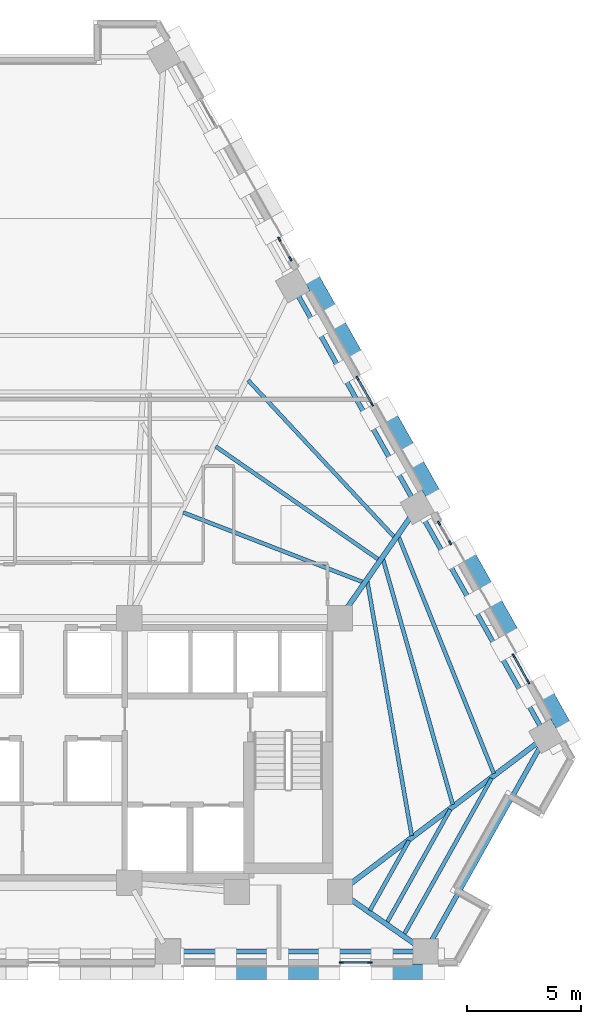
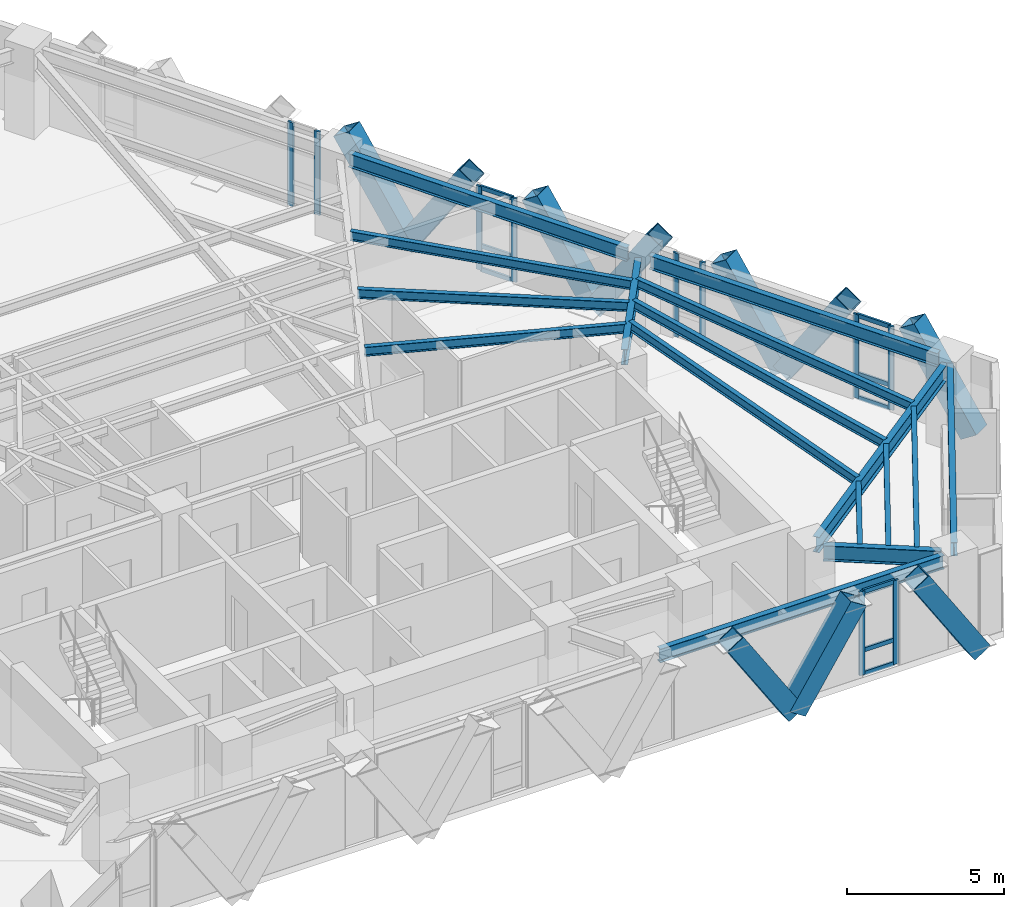
# One storey, part 4 of 13: 29 members, 16 beams, 5 elements without a shape of their own.
"""IFC4 building model written with IfcOpenShell, lengths in metres."""

import ifcopenshell
import ifcopenshell.guid

model = None  # the IFC model being written
_history = None  # IfcOwnerHistory: only IFC2X3 demands one
_inside = {}  # id of a spatial element -> (the spatial element, [elements in it])
_under = {}  # id of a project, library or spatial element -> (it, [spatial elements below it])
_declared = {}  # id of a project -> (the project, [libraries it declares])
_typed = {}  # id of a type object -> (the type object, [elements of that type])
_made_of = {}  # id of a material, layer set ... -> (it, [elements and type objects made of it])


def new_model(schema):
    """Start an empty IFC model of exactly this schema.

    Asked for "IFC4X3", IfcOpenShell would pick the latest addendum, in which some entities
    have other attributes; the version numbers below select the first issue.
    IFC2X3 requires an IfcOwnerHistory on every rooted entity: one is made here for all.
    """
    global model, _history
    if schema == "IFC4X3":
        model = ifcopenshell.file(schema_version=(4, 3, 0, 0))
    else:
        model = ifcopenshell.file(schema=schema)
    _inside.clear()
    _under.clear()
    _declared.clear()
    _typed.clear()
    _made_of.clear()
    _history = None
    if model.schema == "IFC2X3":
        org = make("IfcOrganization", Name="unknown")
        user = make(
            "IfcPersonAndOrganization",
            ThePerson=make("IfcPerson", FamilyName="unknown"),
            TheOrganization=org,
        )
        app = make(
            "IfcApplication",
            ApplicationDeveloper=org,
            Version="unknown",
            ApplicationFullName="unknown",
            ApplicationIdentifier="unknown",
        )
        _history = make(
            "IfcOwnerHistory",
            OwningUser=user,
            OwningApplication=app,
            ChangeAction="ADDED",
            CreationDate=0,
        )
    return model


def make(cls, **values):
    """One entity of the class cls with the attributes given. An attribute that is None is left unset."""
    return model.create_entity(
        cls, **{name: value for name, value in values.items() if value is not None}
    )


def rooted(cls, **values):
    """An entity with a GlobalId (a new one), such as an element, a storey or a relation."""
    return make(cls, GlobalId=ifcopenshell.guid.new(), OwnerHistory=_history, **values)


def si_unit(unit_type, name, prefix=None):
    """IfcSIUnit, for example si_unit("LENGTHUNIT", "METRE", prefix="MILLI")."""
    return make("IfcSIUnit", UnitType=unit_type, Prefix=prefix, Name=name)


def assignment(units):
    """IfcUnitAssignment: the units of a project."""
    return None if units is None else make("IfcUnitAssignment", Units=units)


def point(xyz):
    """IfcCartesianPoint."""
    return None if xyz is None else make("IfcCartesianPoint", Coordinates=xyz)


def direction(xyz):
    """IfcDirection."""
    return None if xyz is None else make("IfcDirection", DirectionRatios=xyz)


def frame(location, z_axis=None, x_axis=None):
    """IfcAxis2Placement3D, a coordinate frame: its origin and axes. An axis left out is left unset."""
    return make(
        "IfcAxis2Placement3D",
        Location=point(location),
        Axis=direction(z_axis),
        RefDirection=direction(x_axis),
    )


def frame_2d(location, x_axis=None):
    """IfcAxis2Placement2D, a coordinate frame in the plane: its origin and x axis."""
    return make(
        "IfcAxis2Placement2D", Location=point(location), RefDirection=direction(x_axis)
    )


def origin():
    """The frame at (0, 0, 0) with its axes left unset."""
    return frame((0.0, 0.0, 0.0))


def origin_2d():
    """The frame at (0, 0) in the plane with its x axis left unset."""
    return frame_2d((0.0, 0.0))


def place(relative_to, where):
    """IfcLocalPlacement: puts the frame where relative to a parent placement (None: the world)."""
    return make(
        "IfcLocalPlacement", PlacementRelTo=relative_to, RelativePlacement=where
    )


def context(
    kind, dimensions, precision=None, world=None, true_north=None, identifier=None
):
    """IfcGeometricRepresentationContext, for example the 3D "Model" context."""
    return make(
        "IfcGeometricRepresentationContext",
        ContextIdentifier=identifier,
        ContextType=kind,
        CoordinateSpaceDimension=dimensions,
        Precision=precision,
        WorldCoordinateSystem=world,
        TrueNorth=true_north,
    )


def subcontext(parent, identifier, kind, view, scale=None):
    """IfcGeometricRepresentationSubContext, for example "Body" below "Model"."""
    return make(
        "IfcGeometricRepresentationSubContext",
        ContextIdentifier=identifier,
        ContextType=kind,
        ParentContext=parent,
        TargetScale=scale,
        TargetView=view,
    )


def project(units=None, contexts=None):
    """IfcProject with its units and contexts."""
    return rooted(
        "IfcProject",
        Name="project",
        RepresentationContexts=contexts,
        UnitsInContext=assignment(units),
    )


def spatial(cls, under=None, at=None, **own):
    """A site, building, storey or space (cls), placed at a placement, below another one or the project."""
    s = rooted(cls, ObjectPlacement=at, **own)
    if under is not None:
        _under.setdefault(under.id(), (under, []))[1].append(s)
    return s


def profile(cls, at=None, kind="AREA", **sizes):
    """A parametric profile (cls). Its sizes go by their IFC names, for example OverallWidth=200.0."""
    return make(cls, ProfileType=kind, Position=at, **sizes)


def rectangle(**sizes):
    """IfcRectangleProfileDef."""
    return profile("IfcRectangleProfileDef", **sizes)


def hollow_rectangle(**sizes):
    """IfcRectangleHollowProfileDef."""
    return profile("IfcRectangleHollowProfileDef", **sizes)


def i_section(**sizes):
    """IfcIShapeProfileDef."""
    return profile("IfcIShapeProfileDef", **sizes)


def extrude(swept, where, along, depth):
    """IfcExtrudedAreaSolid: the profile swept, set in the frame where, extruded along a direction by depth."""
    return make(
        "IfcExtrudedAreaSolid",
        SweptArea=swept,
        Position=where,
        ExtrudedDirection=direction(along),
        Depth=depth,
    )


def shape(context_of_items, identifier, shape_type, items):
    """IfcShapeRepresentation: the items that make up one representation, for example the "Body"."""
    return make(
        "IfcShapeRepresentation",
        ContextOfItems=context_of_items,
        RepresentationIdentifier=identifier,
        RepresentationType=shape_type,
        Items=items,
    )


def material(Name=None, Category=None):
    """IfcMaterial."""
    return make("IfcMaterial", Name=Name, Category=Category)


def material_profile(
    of_material, cross_section, Name=None, Category=None, Priority=None
):
    """IfcMaterialProfile: a cross section and its material."""
    return make(
        "IfcMaterialProfile",
        Name=Name,
        Material=of_material,
        Profile=cross_section,
        Priority=Priority,
        Category=Category,
    )


def profile_set(profiles, Name=None, composite=None):
    """IfcMaterialProfileSet."""
    return make(
        "IfcMaterialProfileSet",
        Name=Name,
        MaterialProfiles=profiles,
        CompositeProfile=composite,
    )


def made_of(thing, what):
    """Note that an element or type object is made of a material, layer set ...; save() writes the relation."""
    if what is not None:
        _made_of.setdefault(what.id(), (what, []))[1].append(thing)
    return thing


def type_object(cls, material=None, **own):
    """A type object (cls), such as IfcWallType, which elements share."""
    return made_of(rooted(cls, **own), material)


def element(
    cls,
    number,
    at=None,
    inside=None,
    cuts=None,
    type_object=None,
    material=None,
    context=None,
    identifier="Body",
    shape_type=None,
    held_by="IfcProductDefinitionShape",
    body=None,
    shapes=None,
    **own,
):
    """One element of the class cls, such as IfcWall. Its Tag is "e" and its number.

    at: its placement. inside: the storey or other place that contains it. cuts: it is an
    opening in that element (IfcRelVoidsElement). A single representation is given by context,
    identifier, shape_type and body (its items); several are given by shapes. held_by: the class
    of the entity that holds the representations. save() writes the other relations.
    """
    e = rooted(cls, Tag="e%d" % number, ObjectPlacement=at, **own)
    if body is not None:
        shapes = [shape(context, identifier, shape_type, body)]
    if shapes is not None:
        e.Representation = make(held_by, Representations=shapes)
    if inside is not None:
        _inside.setdefault(inside.id(), (inside, []))[1].append(e)
    if cuts is not None:
        rooted(
            "IfcRelVoidsElement", RelatingBuildingElement=cuts, RelatedOpeningElement=e
        )
    if type_object is not None:
        _typed.setdefault(type_object.id(), (type_object, []))[1].append(e)
    return made_of(e, material)


def aggregate(whole, parts):
    """IfcRelAggregates: a whole, such as a stair, and the parts it consists of."""
    return rooted("IfcRelAggregates", RelatingObject=whole, RelatedObjects=parts)


def save(model, path):
    """Write the relations noted so far, then the file.

    IfcRelAggregates (storeys below a building ...), IfcRelContainedInSpatialStructure (elements
    in a storey), IfcRelDefinesByType, IfcRelAssociatesMaterial and IfcRelDeclares: one each for
    every whole, place, type object, material and project.
    """
    for whole, parts in _under.values():
        aggregate(whole, parts)
    for where, things in _inside.values():
        rooted(
            "IfcRelContainedInSpatialStructure",
            RelatedElements=things,
            RelatingStructure=where,
        )
    for kind, things in _typed.values():
        rooted("IfcRelDefinesByType", RelatedObjects=things, RelatingType=kind)
    for what, things in _made_of.values():
        rooted("IfcRelAssociatesMaterial", RelatedObjects=things, RelatingMaterial=what)
    for by, libraries in _declared.values():
        rooted("IfcRelDeclares", RelatingContext=by, RelatedDefinitions=libraries)
    model.write(path)


model = new_model("IFC4")

# Units and contexts
model_context = context("Model", 3, precision=1e-05, world=origin(), true_north=direction((0.0, 1.0)))
body_context = subcontext(model_context, "Body", "Model", "MODEL_VIEW")
ifc_project = project(units=[si_unit("LENGTHUNIT", "METRE"), si_unit("AREAUNIT", "SQUARE_METRE"), si_unit("VOLUMEUNIT", "CUBIC_METRE"), si_unit("PLANEANGLEUNIT", "RADIAN"), si_unit("MASSUNIT", "GRAM", prefix="KILO")], contexts=[model_context])

# Site, building, storey
site_placement = place(None, origin())
site = spatial("IfcSite", under=ifc_project, at=site_placement, CompositionType="ELEMENT")
building_placement = place(site_placement, origin())
building = spatial("IfcBuilding", under=site, at=building_placement, Name="Quenlor Broadcast Tower", CompositionType="ELEMENT")
storey_placement = place(building_placement, frame((0.0, 0.0, 119.5)))
storey = spatial("IfcBuildingStorey", under=building, at=storey_placement, Name="L32", CompositionType="ELEMENT", Elevation=119.5)

# Curtain wall, members
ifc_material_1 = material(Name="Architectural Terracotta and Low-E Glazing", Category="masonry")
curtain_wall_type = type_object("IfcCurtainWallType", Name="Unitised Terracotta Curtain Wall System Z2", PredefinedType="NOTDEFINED", material=ifc_material_1)
curtain_wall_1_placement = place(storey_placement, origin())
curtain_wall_1 = element("IfcCurtainWall", 1, at=curtain_wall_1_placement, inside=storey, type_object=curtain_wall_type, Name="L32 Curtain Wall CW2 (L32-SA-G1)", PredefinedType="NOTDEFINED")
ifc_material_2 = material(Name="Aluminium 6063-T6", Category="aluminium")
ifc_material_profile_1 = material_profile(ifc_material_2, rectangle(XDim=0.074951171875, YDim=0.199951171875, at=origin_2d()))
ifc_profile_set_1 = profile_set([ifc_material_profile_1], Name="Aluminium 6063-T6 MULL75x200")
member_type_1 = type_object("IfcMemberType", Name="CW2 Aluminium Mullion MULL_CW2", PredefinedType="MULLION", material=ifc_profile_set_1)
member_1_placement = place(storey_placement, frame((14.254150390625, -19.840087890625, 0.0), z_axis=(0.0, 0.0, 1.0), x_axis=(0.0, -1.0, 0.0)))
member_1 = element("IfcMember", 2, at=member_1_placement, type_object=member_type_1, Name="CW2 mullion 1", PredefinedType="MULLION", context=body_context, shape_type="SweptSolid", body=[
    extrude(rectangle(XDim=0.074951171875, YDim=0.199951171875, at=origin_2d()), origin(), (0.0, 0.0, 1.0), 3.25),
])
member_2_placement = place(storey_placement, frame((13.01611328125, -19.840087890625, 0.0), z_axis=(0.0, 0.0, 1.0), x_axis=(0.0, -1.0, 0.0)))
member_2 = element("IfcMember", 3, at=member_2_placement, type_object=member_type_1, Name="CW2 mullion 2", PredefinedType="MULLION", context=body_context, shape_type="SweptSolid", body=[
    extrude(rectangle(XDim=0.074951171875, YDim=0.199951171875, at=origin_2d()), origin(), (0.0, 0.0, 1.0), 3.25),
])

curtain_wall_2_placement = place(storey_placement, origin())
curtain_wall_2 = element("IfcCurtainWall", 4, at=curtain_wall_2_placement, inside=storey, type_object=curtain_wall_type, Name="L32 Curtain Wall CW2 (L32-NEA-G2)", PredefinedType="NOTDEFINED")
member_3_placement = place(storey_placement, frame((10.306396484375, 11.751220703125, 0.0), z_axis=(0.0, 0.0, 1.0), x_axis=(0.871580587336, 0.490252261371, 0.0)))
member_3 = element("IfcMember", 5, at=member_3_placement, type_object=member_type_1, Name="CW2 mullion 1", PredefinedType="MULLION", context=body_context, shape_type="SweptSolid", body=[
    extrude(rectangle(XDim=0.074951171875, YDim=0.199951171875, at=origin_2d()), origin(), (0.0, 0.0, 1.0), 3.25),
])
member_4_placement = place(storey_placement, frame((10.7880859375, 10.894775390625, 0.0), z_axis=(0.0, 0.0, 1.0), x_axis=(0.871580587336, 0.490252261371, 0.0)))
member_4 = element("IfcMember", 6, at=member_4_placement, type_object=member_type_1, Name="CW2 mullion 2", PredefinedType="MULLION", context=body_context, shape_type="SweptSolid", body=[
    extrude(rectangle(XDim=0.074951171875, YDim=0.199951171875, at=origin_2d()), origin(), (0.0, 0.0, 1.0), 3.25),
])
aggregate(curtain_wall_2, [member_3, member_4])

curtain_wall_3_placement = place(storey_placement, origin())
curtain_wall_3 = element("IfcCurtainWall", 7, at=curtain_wall_3_placement, inside=storey, type_object=curtain_wall_type, Name="L32 Curtain Wall CW2 (L32-NEC-G1)", PredefinedType="NOTDEFINED")
member_5_placement = place(storey_placement, frame((17.282958984375, -0.651611328125, 0.0), z_axis=(0.0, 0.0, 1.0), x_axis=(0.871580587336, 0.490252261371, 0.0)))
member_5 = element("IfcMember", 8, at=member_5_placement, type_object=member_type_1, Name="CW2 mullion 1", PredefinedType="MULLION", context=body_context, shape_type="SweptSolid", body=[
    extrude(rectangle(XDim=0.074951171875, YDim=0.199951171875, at=origin_2d()), origin(), (0.0, 0.0, 1.0), 3.25),
])
member_6_placement = place(storey_placement, frame((17.7646484375, -1.508056640625, 0.0), z_axis=(0.0, 0.0, 1.0), x_axis=(0.871580587336, 0.490252261371, 0.0)))
member_6 = element("IfcMember", 9, at=member_6_placement, type_object=member_type_1, Name="CW2 mullion 2", PredefinedType="MULLION", context=body_context, shape_type="SweptSolid", body=[
    extrude(rectangle(XDim=0.074951171875, YDim=0.199951171875, at=origin_2d()), origin(), (0.0, 0.0, 1.0), 3.25),
])
aggregate(curtain_wall_3, [member_5, member_6])

curtain_wall_4_placement = place(storey_placement, origin())
curtain_wall_4 = element("IfcCurtainWall", 10, at=curtain_wall_4_placement, inside=storey, type_object=curtain_wall_type, Name="L32 Curtain Wall CW2 (L32-NEC-G2)", PredefinedType="NOTDEFINED")
member_7_placement = place(storey_placement, frame((20.545654296875, -6.451904296875, 0.0), z_axis=(0.0, 0.0, 1.0), x_axis=(0.871565749621, 0.490278639232, 0.0)))
member_7 = element("IfcMember", 11, at=member_7_placement, type_object=member_type_1, Name="CW2 mullion 1", PredefinedType="MULLION", context=body_context, shape_type="SweptSolid", body=[
    extrude(rectangle(XDim=0.074951171875, YDim=0.199951171875, at=origin_2d()), origin(), (0.0, 0.0, 1.0), 3.25),
])
member_8_placement = place(storey_placement, frame((21.177734375, -7.57568359375, 0.0), z_axis=(0.0, 0.0, 1.0), x_axis=(0.871565749621, 0.490278639232, 0.0)))
member_8 = element("IfcMember", 12, at=member_8_placement, type_object=member_type_1, Name="CW2 mullion 2", PredefinedType="MULLION", context=body_context, shape_type="SweptSolid", body=[
    extrude(rectangle(XDim=0.074951171875, YDim=0.199951171875, at=origin_2d()), origin(), (0.0, 0.0, 1.0), 3.25),
])

curtain_wall_5_placement = place(storey_placement, origin())
curtain_wall_5 = element("IfcCurtainWall", 13, at=curtain_wall_5_placement, inside=storey, type_object=curtain_wall_type, Name="L32 Curtain Wall CW2 (L32-NE-G1)", PredefinedType="NOTDEFINED")
member_9_placement = place(storey_placement, frame((13.719482421875, 5.683349609375, 0.0), z_axis=(0.0, 0.0, 1.0), x_axis=(0.871579452423, 0.490254279037, 0.0)))
member_9 = element("IfcMember", 14, at=member_9_placement, type_object=member_type_1, Name="CW2 mullion 1", PredefinedType="MULLION", context=body_context, shape_type="SweptSolid", body=[
    extrude(rectangle(XDim=0.074951171875, YDim=0.199951171875, at=origin_2d()), origin(), (0.0, 0.0, 1.0), 3.25),
])
member_10_placement = place(storey_placement, frame((14.3515625, 4.559814453125, 0.0), z_axis=(0.0, 0.0, 1.0), x_axis=(0.871579452423, 0.490254279037, 0.0)))
member_10 = element("IfcMember", 15, at=member_10_placement, type_object=member_type_1, Name="CW2 mullion 2", PredefinedType="MULLION", context=body_context, shape_type="SweptSolid", body=[
    extrude(rectangle(XDim=0.074951171875, YDim=0.199951171875, at=origin_2d()), origin(), (0.0, 0.0, 1.0), 3.25),
])

# Member
ifc_material_3 = material(Name="Aluminium 6063-T6", Category="aluminium")
ifc_material_profile_2 = material_profile(ifc_material_3, rectangle(XDim=0.074951171875, YDim=0.1650390625, at=origin_2d()))
ifc_profile_set_2 = profile_set([ifc_material_profile_2], Name="Aluminium 6063-T6 TRAN75x165")
member_type_2 = type_object("IfcMemberType", Name="CW2 Aluminium Transom TRAN_CW2", PredefinedType="USERDEFINED", material=ifc_profile_set_2)
member_11_placement = place(storey_placement, frame((14.216796875, -19.840087890625, 0.03759765625), z_axis=(-1.0, 0.0, 0.0), x_axis=(0.0, -1.0, 0.0)))
member_11 = element("IfcMember", 16, at=member_11_placement, type_object=member_type_2, Name="CW2 transom 1.1", ObjectType="TRANSOM", PredefinedType="USERDEFINED", context=body_context, shape_type="SweptSolid", body=[
    extrude(rectangle(XDim=0.074951171875, YDim=0.1650390625, at=origin_2d()), origin(), (0.0, 0.0, 1.0), 1.1630859375),
])

member_12_placement = place(storey_placement, frame((14.216796875, -19.840087890625, 0.949951171875), z_axis=(-1.0, 0.0, 0.0), x_axis=(0.0, -1.0, 0.0)))
member_12 = element("IfcMember", 17, at=member_12_placement, type_object=member_type_2, Name="CW2 transom 1.2", ObjectType="TRANSOM", PredefinedType="USERDEFINED", context=body_context, shape_type="SweptSolid", body=[
    extrude(rectangle(XDim=0.074951171875, YDim=0.1650390625, at=origin_2d()), origin(), (0.0, 0.0, 1.0), 1.1630859375),
])

member_13_placement = place(storey_placement, frame((14.216796875, -19.840087890625, 3.21240234375), z_axis=(-1.0, 0.0, 0.0), x_axis=(0.0, -1.0, 0.0)))
member_13 = element("IfcMember", 18, at=member_13_placement, type_object=member_type_2, Name="CW2 transom 1.3", ObjectType="TRANSOM", PredefinedType="USERDEFINED", context=body_context, shape_type="SweptSolid", body=[
    extrude(rectangle(XDim=0.074951171875, YDim=0.1650390625, at=origin_2d()), origin(), (0.0, 0.0, 1.0), 1.1630859375),
])

aggregate(curtain_wall_1, [member_1, member_2, member_11, member_12, member_13])

member_14_placement = place(storey_placement, frame((20.56396484375, -6.484619140625, 0.03759765625), z_axis=(0.490347143438, -0.871527210661, 0.0), x_axis=(0.871527210661, 0.490347143438, 0.0)))
member_14 = element("IfcMember", 19, at=member_14_placement, type_object=member_type_2, Name="CW2 transom 1.1", ObjectType="TRANSOM", PredefinedType="USERDEFINED", context=body_context, shape_type="SweptSolid", body=[
    extrude(rectangle(XDim=0.074951171875, YDim=0.1650390625, at=origin_2d()), origin(), (0.0, 0.0, 1.0), 1.21435546875),
])

member_15_placement = place(storey_placement, frame((20.56396484375, -6.484619140625, 0.949951171875), z_axis=(0.490347143438, -0.871527210661, 0.0), x_axis=(0.871527210661, 0.490347143438, 0.0)))
member_15 = element("IfcMember", 20, at=member_15_placement, type_object=member_type_2, Name="CW2 transom 1.2", ObjectType="TRANSOM", PredefinedType="USERDEFINED", context=body_context, shape_type="SweptSolid", body=[
    extrude(rectangle(XDim=0.074951171875, YDim=0.1650390625, at=origin_2d()), origin(), (0.0, 0.0, 1.0), 1.21435546875),
])

member_16_placement = place(storey_placement, frame((20.56396484375, -6.484619140625, 3.21240234375), z_axis=(0.490347143438, -0.871527210661, 0.0), x_axis=(0.871527210661, 0.490347143438, 0.0)))
member_16 = element("IfcMember", 21, at=member_16_placement, type_object=member_type_2, Name="CW2 transom 1.3", ObjectType="TRANSOM", PredefinedType="USERDEFINED", context=body_context, shape_type="SweptSolid", body=[
    extrude(rectangle(XDim=0.074951171875, YDim=0.1650390625, at=origin_2d()), origin(), (0.0, 0.0, 1.0), 1.21435546875),
])

aggregate(curtain_wall_4, [member_7, member_8, member_14, member_15, member_16])

member_17_placement = place(storey_placement, frame((13.73779296875, 5.650634765625, 0.03759765625), z_axis=(0.490433072585, -0.871478858788, 0.0), x_axis=(0.871478858788, 0.490433072585, 0.0)))
member_17 = element("IfcMember", 22, at=member_17_placement, type_object=member_type_2, Name="CW2 transom 1.1", ObjectType="TRANSOM", PredefinedType="USERDEFINED", context=body_context, shape_type="SweptSolid", body=[
    extrude(rectangle(XDim=0.074951171875, YDim=0.1650390625, at=origin_2d()), origin(), (0.0, 0.0, 1.0), 1.214111328125),
])

member_18_placement = place(storey_placement, frame((13.73779296875, 5.650634765625, 0.949951171875), z_axis=(0.490433072585, -0.871478858788, 0.0), x_axis=(0.871478858788, 0.490433072585, 0.0)))
member_18 = element("IfcMember", 23, at=member_18_placement, type_object=member_type_2, Name="CW2 transom 1.2", ObjectType="TRANSOM", PredefinedType="USERDEFINED", context=body_context, shape_type="SweptSolid", body=[
    extrude(rectangle(XDim=0.074951171875, YDim=0.1650390625, at=origin_2d()), origin(), (0.0, 0.0, 1.0), 1.214111328125),
])

member_19_placement = place(storey_placement, frame((13.73779296875, 5.650634765625, 3.21240234375), z_axis=(0.490433072585, -0.871478858788, 0.0), x_axis=(0.871478858788, 0.490433072585, 0.0)))
member_19 = element("IfcMember", 24, at=member_19_placement, type_object=member_type_2, Name="CW2 transom 1.3", ObjectType="TRANSOM", PredefinedType="USERDEFINED", context=body_context, shape_type="SweptSolid", body=[
    extrude(rectangle(XDim=0.074951171875, YDim=0.1650390625, at=origin_2d()), origin(), (0.0, 0.0, 1.0), 1.214111328125),
])

aggregate(curtain_wall_5, [member_9, member_10, member_17, member_18, member_19])

# Members
ifc_material_4 = material(Name="Steel S355", Category="steel")
ifc_material_profile_3 = material_profile(ifc_material_4, hollow_rectangle(XDim=0.679931640625, YDim=0.679931640625, WallThickness=0.030029296875, at=origin_2d()))
ifc_profile_set_3 = profile_set([ifc_material_profile_3], Name="Steel S355 RHS680x680x30")
member_type_3 = type_object("IfcMemberType", Name="Perimeter Diagonal Lattice Brace Z2 Steel S355 RHS680x30", PredefinedType="BRACE", material=ifc_profile_set_3)
for number, where, z_axis, x_axis, name in (
    (25, (17.030517578125, -20.235107421875, -0.1201171875), (-0.539968035679, 0.0, 0.841685523485), (0.0, -1.0, 0.0), "L32 Perimeter Diamond Lattice S-C1S"),
    (26, (10.239990234375, -20.235107421875, -0.1201171875), (0.539968035679, 0.0, 0.841685523485), (0.0, 1.0, 0.0), "L32 Perimeter Diamond Lattice S-C1B"),
    (27, (10.212890625, -20.235107421875, -0.1201171875), (-0.539968035679, 0.0, 0.841685523485), (0.0, -1.0, 0.0), "L32 Perimeter Diamond Lattice S-C2S"),
):
    element("IfcMember", number, at=place(storey_placement, frame(where, z_axis=z_axis, x_axis=x_axis)), inside=storey, type_object=member_type_3, Name=name, PredefinedType="BRACE", context=body_context, shape_type="SweptSolid", body=[
        extrude(hollow_rectangle(XDim=0.679931640625, YDim=0.679931640625, WallThickness=0.030029296875, at=origin_2d()), origin(), (0.0, 0.0, 1.0), 4.158203125),
    ])
member_20_placement = place(storey_placement, frame((12.66650390625, 8.361083984375, -0.1201171875), z_axis=(-0.268634887212, 0.477637964099, 0.83647909276), x_axis=(-0.871603971106, -0.490210686901, 0.0)))
element("IfcMember", 28, at=member_20_placement, inside=storey, type_object=member_type_3, Name="L32 Perimeter Diamond Lattice NE-C2B", PredefinedType="BRACE", context=body_context, shape_type="SweptSolid", body=[
    extrude(hollow_rectangle(XDim=0.679931640625, YDim=0.679931640625, WallThickness=0.030029296875, at=origin_2d()), origin(), (0.0, 0.0, 1.0), 4.184326171875),
])
for number, where, z_axis, x_axis, name in (
    (29, (12.68017578125, 8.3369140625, -0.1201171875), (0.268642373731, -0.477592925498, 0.83650240439), (0.871578380919, 0.490256183964, 0.0), "L32 Perimeter Diamond Lattice NE-C3S"),
    (30, (16.07958984375, 2.29345703125, -0.1201171875), (-0.268696511206, 0.477585438485, 0.836489290913), (-0.871532878923, -0.490337068716, 0.0), "L32 Perimeter Diamond Lattice NE-C3B"),
    (31, (16.093017578125, 2.269287109375, -0.1201171875), (0.268696511206, -0.477585438485, 0.836489290913), (0.871532878923, 0.490337068716, 0.0), "L32 Perimeter Diamond Lattice NE-C4S"),
    (32, (19.49267578125, -3.774169921875, -0.1201171875), (-0.268696511206, 0.477585438485, 0.836489290913), (-0.871532878923, -0.490337068716, 0.0), "L32 Perimeter Diamond Lattice NE-C4B"),
    (33, (19.506103515625, -3.79833984375, -0.1201171875), (0.268696511206, -0.477585438485, 0.836489290913), (0.871532878923, 0.490337068716, 0.0), "L32 Perimeter Diamond Lattice NE-C5S"),
    (34, (22.90576171875, -9.841796875, -0.1201171875), (-0.268696511206, 0.477585438485, 0.836489290913), (-0.871532878923, -0.490337068716, 0.0), "L32 Perimeter Diamond Lattice NE-C5B"),
):
    element("IfcMember", number, at=place(storey_placement, frame(where, z_axis=z_axis, x_axis=x_axis)), inside=storey, type_object=member_type_3, Name=name, PredefinedType="BRACE", context=body_context, shape_type="SweptSolid", body=[
        extrude(hollow_rectangle(XDim=0.679931640625, YDim=0.679931640625, WallThickness=0.030029296875, at=origin_2d()), origin(), (0.0, 0.0, 1.0), 4.18408203125),
    ])

# Beams
ifc_material_5 = material(Name="Steel S355", Category="steel")
ifc_material_profile_4 = material_profile(ifc_material_5, i_section(OverallWidth=0.208984375, OverallDepth=0.5283203125, WebThickness=0.009521484375, FlangeThickness=0.01318359375, FilletRadius=0.013916015625, at=origin_2d()))
ifc_profile_set_4 = profile_set([ifc_material_profile_4], Name="Steel S355 530UB82.0")
beam_type_1 = type_object("IfcBeamType", Name="Perimeter Spandrel Beam Z2 Steel S355 530UB82.0", PredefinedType="SPANDREL", material=ifc_profile_set_4)
beam_1_placement = place(storey_placement, frame((5.853271484375, -19.35009765625, 2.98583984375), z_axis=(1.0, 0.0, 0.0), x_axis=(0.0, 1.0, 0.0)))
element("IfcBeam", 35, at=beam_1_placement, inside=storey, type_object=beam_type_1, Name="L32 Spandrel Beam S3-S4", PredefinedType="SPANDREL", context=body_context, shape_type="SweptSolid", body=[
    extrude(i_section(OverallWidth=0.208984375, OverallDepth=0.5283203125, WebThickness=0.009521484375, FlangeThickness=0.01318359375, FilletRadius=0.013916015625, at=origin_2d()), origin(), (0.0, 0.0, 1.0), 10.42919921875),
])
beam_2_placement = place(storey_placement, frame((16.892822265625, -18.9921875, 2.98583984375), z_axis=(0.488749102779, 0.872424389006, 0.0), x_axis=(-0.872424389006, 0.488749102779, 0.0)))
element("IfcBeam", 36, at=beam_2_placement, inside=storey, type_object=beam_type_1, Name="L32 Spandrel Beam S4-NE1", PredefinedType="SPANDREL", context=body_context, shape_type="SweptSolid", body=[
    extrude(i_section(OverallWidth=0.208984375, OverallDepth=0.5283203125, WebThickness=0.009521484375, FlangeThickness=0.01318359375, FilletRadius=0.013916015625, at=origin_2d()), origin(), (0.0, 0.0, 1.0), 9.947021484375),
])
beam_3_placement = place(storey_placement, frame((21.753662109375, -9.59912109375, 2.98583984375), z_axis=(-0.490263415828, 0.871574313011, 0.0), x_axis=(-0.871574313011, -0.490263415828, 0.0)))
element("IfcBeam", 37, at=beam_3_placement, inside=storey, type_object=beam_type_1, Name="L32 Spandrel Beam NE1-NE2", PredefinedType="SPANDREL", context=body_context, shape_type="SweptSolid", body=[
    extrude(i_section(OverallWidth=0.208984375, OverallDepth=0.5283203125, WebThickness=0.009521484375, FlangeThickness=0.01318359375, FilletRadius=0.013916015625, at=origin_2d()), origin(), (0.0, 0.0, 1.0), 10.65283203125),
])
beam_4_placement = place(storey_placement, frame((16.129150390625, 0.400146484375, 2.98583984375), z_axis=(-0.49026462139, 0.871573634878, 0.0), x_axis=(-0.871573634878, -0.49026462139, 0.0)))
element("IfcBeam", 38, at=beam_4_placement, inside=storey, type_object=beam_type_1, Name="L32 Spandrel Beam NE2-NE3", PredefinedType="SPANDREL", context=body_context, shape_type="SweptSolid", body=[
    extrude(i_section(OverallWidth=0.208984375, OverallDepth=0.5283203125, WebThickness=0.009521484375, FlangeThickness=0.01318359375, FilletRadius=0.013916015625, at=origin_2d()), origin(), (0.0, 0.0, 1.0), 10.28271484375),
])
ifc_material_6 = material(Name="Steel S355", Category="steel")
ifc_material_profile_5 = material_profile(ifc_material_6, i_section(OverallWidth=0.172119140625, OverallDepth=0.358642578125, WebThickness=0.008056640625, FlangeThickness=0.012939453125, FilletRadius=0.011474609375, at=origin_2d()))
ifc_profile_set_5 = profile_set([ifc_material_profile_5], Name="Steel S355 360UB56.7")
beam_type_2 = type_object("IfcBeamType", Name="Tower Composite Joist Z2-Z3 Steel S355 360UB56.7", PredefinedType="JOIST", material=ifc_profile_set_5)
beam_5_placement = place(storey_placement, frame((13.95703125, -3.221435546875, 3.07080078125), z_axis=(-0.932542579586, 0.361060018916, 0.0), x_axis=(-0.361060018916, -0.932542579586, 0.0)))
element("IfcBeam", 39, at=beam_5_placement, inside=storey, type_object=beam_type_2, Name="L32 Secondary Composite Joist 10", PredefinedType="JOIST", context=body_context, shape_type="SweptSolid", body=[
    extrude(i_section(OverallWidth=0.172119140625, OverallDepth=0.358642578125, WebThickness=0.008056640625, FlangeThickness=0.012939453125, FilletRadius=0.011474609375, at=origin_2d()), origin(), (0.0, 0.0, 1.0), 8.416259765625),
])
beam_6_placement = place(storey_placement, frame((14.641845703125, -2.236083984375, 3.07080078125), z_axis=(-0.821385737622, 0.570373097219, 0.0), x_axis=(-0.570373097219, -0.821385737622, 0.0)))
element("IfcBeam", 40, at=beam_6_placement, inside=storey, type_object=beam_type_2, Name="L32 Secondary Composite Joist 11", PredefinedType="JOIST", context=body_context, shape_type="SweptSolid", body=[
    extrude(i_section(OverallWidth=0.172119140625, OverallDepth=0.358642578125, WebThickness=0.008056640625, FlangeThickness=0.012939453125, FilletRadius=0.011474609375, at=origin_2d()), origin(), (0.0, 0.0, 1.0), 8.662109375),
])
beam_7_placement = place(storey_placement, frame((15.3291015625, -1.254638671875, 3.07080078125), z_axis=(-0.681880655944, 0.73146344478, 0.0), x_axis=(-0.73146344478, -0.681880655944, 0.0)))
element("IfcBeam", 41, at=beam_7_placement, inside=storey, type_object=beam_type_2, Name="L32 Secondary Composite Joist 12", PredefinedType="JOIST", context=body_context, shape_type="SweptSolid", body=[
    extrude(i_section(OverallWidth=0.172119140625, OverallDepth=0.358642578125, WebThickness=0.008056640625, FlangeThickness=0.012939453125, FilletRadius=0.011474609375, at=origin_2d()), origin(), (0.0, 0.0, 1.0), 9.365234375),
])
beam_8_placement = place(storey_placement, frame((16.087890625, -14.29345703125, 3.07080078125), z_axis=(-0.172120396521, 0.985075920476, 0.0), x_axis=(-0.985075920476, -0.172120396521, 0.0)))
element("IfcBeam", 42, at=beam_8_placement, inside=storey, type_object=beam_type_2, Name="L32 Secondary Composite Joist 16", PredefinedType="JOIST", context=body_context, shape_type="SweptSolid", body=[
    extrude(i_section(OverallWidth=0.172119140625, OverallDepth=0.358642578125, WebThickness=0.008056640625, FlangeThickness=0.012939453125, FilletRadius=0.011474609375, at=origin_2d()), origin(), (0.0, 0.0, 1.0), 11.27783203125),
])
beam_9_placement = place(storey_placement, frame((17.880615234375, -12.9365234375, 3.07080078125), z_axis=(-0.273563993601, 0.96185380459, 0.0), x_axis=(-0.96185380459, -0.273563993601, 0.0)))
element("IfcBeam", 43, at=beam_9_placement, inside=storey, type_object=beam_type_2, Name="L32 Secondary Composite Joist 17", PredefinedType="JOIST", context=body_context, shape_type="SweptSolid", body=[
    extrude(i_section(OverallWidth=0.172119140625, OverallDepth=0.358642578125, WebThickness=0.008056640625, FlangeThickness=0.012939453125, FilletRadius=0.011474609375, at=origin_2d()), origin(), (0.0, 0.0, 1.0), 11.1484375),
])
beam_10_placement = place(storey_placement, frame((19.673583984375, -11.580810546875, 3.07080078125), z_axis=(-0.373180395983, 0.92775880058, 0.0), x_axis=(-0.92775880058, -0.373180395983, 0.0)))
element("IfcBeam", 44, at=beam_10_placement, inside=storey, type_object=beam_type_2, Name="L32 Secondary Composite Joist 18", PredefinedType="JOIST", context=body_context, shape_type="SweptSolid", body=[
    extrude(i_section(OverallWidth=0.172119140625, OverallDepth=0.358642578125, WebThickness=0.008056640625, FlangeThickness=0.012939453125, FilletRadius=0.011474609375, at=origin_2d()), origin(), (0.0, 0.0, 1.0), 11.143798828125),
])
beam_11_placement = place(storey_placement, frame((14.261474609375, -17.564208984375, 3.07080078125), z_axis=(0.488730779643, 0.87243465373, 0.0), x_axis=(-0.87243465373, 0.488730779643, 0.0)))
element("IfcBeam", 45, at=beam_11_placement, inside=storey, type_object=beam_type_2, Name="L32 Secondary Composite Joist 22", PredefinedType="JOIST", context=body_context, shape_type="SweptSolid", body=[
    extrude(i_section(OverallWidth=0.172119140625, OverallDepth=0.358642578125, WebThickness=0.008056640625, FlangeThickness=0.012939453125, FilletRadius=0.011474609375, at=origin_2d()), origin(), (0.0, 0.0, 1.0), 3.500732421875),
])
beam_12_placement = place(storey_placement, frame((15.010009765625, -18.084228515625, 3.07080078125), z_axis=(0.488741419435, 0.87242869332, 0.0), x_axis=(-0.87242869332, 0.488741419435, 0.0)))
element("IfcBeam", 46, at=beam_12_placement, inside=storey, type_object=beam_type_2, Name="L32 Secondary Composite Joist 23", PredefinedType="JOIST", context=body_context, shape_type="SweptSolid", body=[
    extrude(i_section(OverallWidth=0.172119140625, OverallDepth=0.358642578125, WebThickness=0.008056640625, FlangeThickness=0.012939453125, FilletRadius=0.011474609375, at=origin_2d()), origin(), (0.0, 0.0, 1.0), 5.654052734375),
])
beam_13_placement = place(storey_placement, frame((15.758544921875, -18.604248046875, 3.07080078125), z_axis=(0.488732857155, 0.872433489922, 0.0), x_axis=(-0.872433489922, 0.488732857155, 0.0)))
element("IfcBeam", 47, at=beam_13_placement, inside=storey, type_object=beam_type_2, Name="L32 Secondary Composite Joist 24", PredefinedType="JOIST", context=body_context, shape_type="SweptSolid", body=[
    extrude(i_section(OverallWidth=0.172119140625, OverallDepth=0.358642578125, WebThickness=0.008056640625, FlangeThickness=0.012939453125, FilletRadius=0.011474609375, at=origin_2d()), origin(), (0.0, 0.0, 1.0), 7.807861328125),
])
ifc_material_7 = material(Name="Steel S355", Category="steel")
ifc_material_profile_6 = material_profile(ifc_material_7, i_section(OverallWidth=0.22802734375, OverallDepth=0.60205078125, WebThickness=0.010498046875, FlangeThickness=0.014892578125, FilletRadius=0.013916015625, at=origin_2d()))
ifc_profile_set_6 = profile_set([ifc_material_profile_6], Name="Steel S355 610UB101")
beam_type_3 = type_object("IfcBeamType", Name="Tower Primary Floor Beam Z2 Steel S355 610UB101", PredefinedType="BEAM", material=ifc_profile_set_6)
beam_14_placement = place(storey_placement, frame((16.355712890625, -19.1162109375, 2.948974609375), z_axis=(-0.821227395059, 0.570601056436, 0.0), x_axis=(-0.570601056436, -0.821227395059, 0.0)))
element("IfcBeam", 48, at=beam_14_placement, inside=storey, type_object=beam_type_3, Name="L32 Primary Radial Beam S4", PredefinedType="BEAM", context=body_context, shape_type="SweptSolid", body=[
    extrude(i_section(OverallWidth=0.22802734375, OverallDepth=0.60205078125, WebThickness=0.010498046875, FlangeThickness=0.014892578125, FilletRadius=0.013916015625, at=origin_2d()), origin(), (0.0, 0.0, 1.0), 3.766845703125),
])
beam_15_placement = place(storey_placement, frame((21.62744140625, -10.203369140625, 2.948974609375), z_axis=(-0.798298724007, -0.602261693327, 0.0), x_axis=(0.602261693327, -0.798298724007, 0.0)))
element("IfcBeam", 49, at=beam_15_placement, inside=storey, type_object=beam_type_3, Name="L32 Primary Radial Beam NE1", PredefinedType="BEAM", context=body_context, shape_type="SweptSolid", body=[
    extrude(i_section(OverallWidth=0.22802734375, OverallDepth=0.60205078125, WebThickness=0.010498046875, FlangeThickness=0.014892578125, FilletRadius=0.013916015625, at=origin_2d()), origin(), (0.0, 0.0, 1.0), 10.48974609375),
])
beam_16_placement = place(storey_placement, frame((16.095458984375, -0.293212890625, 2.948974609375), z_axis=(-0.572337599985, -0.820018092266, 0.0), x_axis=(0.820018092266, -0.572337599985, 0.0)))
element("IfcBeam", 50, at=beam_16_placement, inside=storey, type_object=beam_type_3, Name="L32 Primary Radial Beam NE2", PredefinedType="BEAM", context=body_context, shape_type="SweptSolid", body=[
    extrude(i_section(OverallWidth=0.22802734375, OverallDepth=0.60205078125, WebThickness=0.010498046875, FlangeThickness=0.014892578125, FilletRadius=0.013916015625, at=origin_2d()), origin(), (0.0, 0.0, 1.0), 5.11572265625),
])

save(model, "model.ifc")
